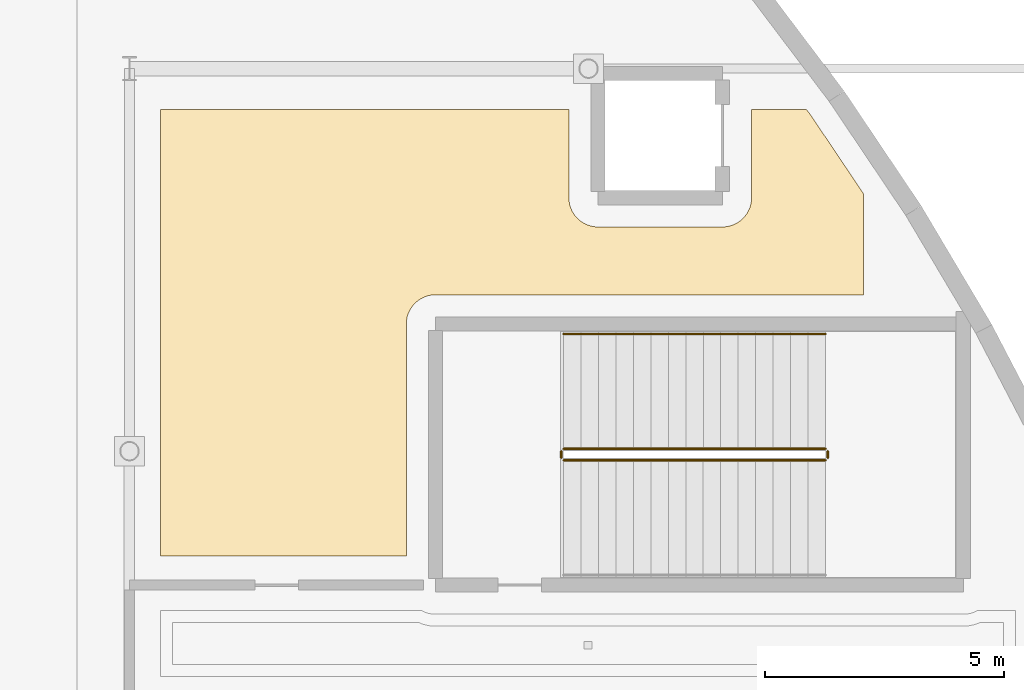
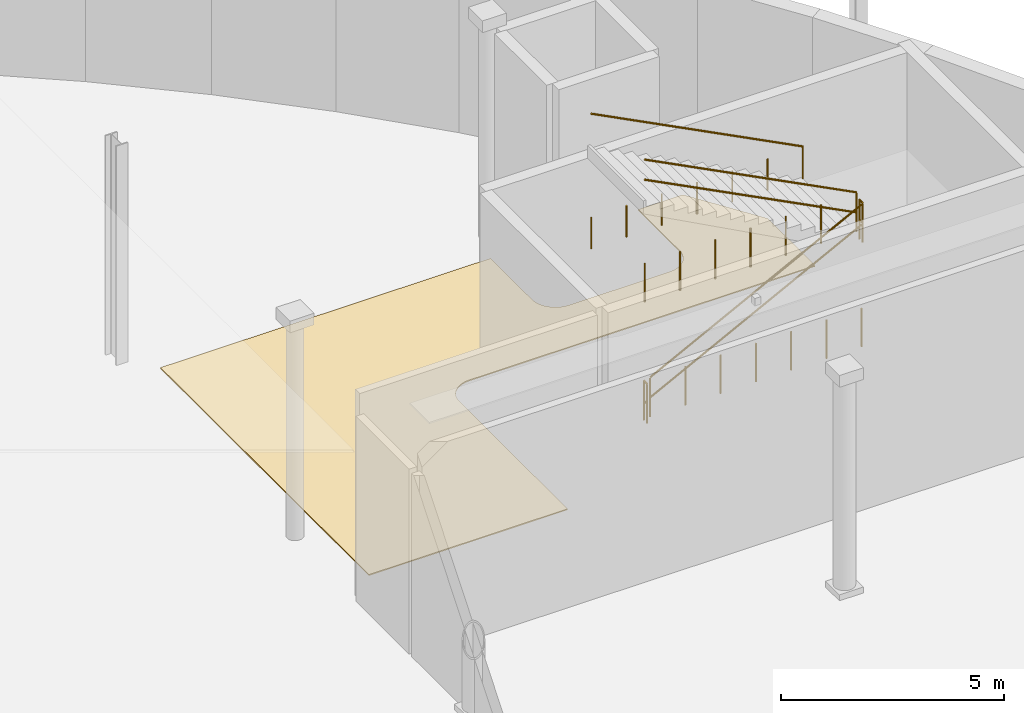
# One storey, part 122 of 124: 5 railings, 1 covering.
"""IFC4 building model written with IfcOpenShell, lengths in metres."""

from ifc_helpers import new_model, si_unit, direction, frame, origin, origin_2d, place, context, subcontext, project, spatial, polyline, circle, outline, extrude, material, layer, layer_set, type_object, element, save


model = new_model("IFC4")

# Units and contexts
model_context = context("Model", 3, precision=1e-05, world=origin(), true_north=direction((0.0, 1.0)))
body_context = subcontext(model_context, "Body", "Model", "MODEL_VIEW")
ifc_project = project(units=[si_unit("LENGTHUNIT", "METRE"), si_unit("AREAUNIT", "SQUARE_METRE"), si_unit("VOLUMEUNIT", "CUBIC_METRE"), si_unit("PLANEANGLEUNIT", "RADIAN"), si_unit("MASSUNIT", "GRAM", prefix="KILO")], contexts=[model_context])

# Site, building, storey
site_placement = place(None, origin())
site = spatial("IfcSite", under=ifc_project, at=site_placement, CompositionType="ELEMENT")
building_placement = place(site_placement, origin())
building = spatial("IfcBuilding", under=site, at=building_placement, Name="Danafjord Basin Convention Centre", CompositionType="ELEMENT")
storey_placement = place(building_placement, origin())
storey = spatial("IfcBuildingStorey", under=building, at=storey_placement, Name="L00", CompositionType="ELEMENT", Elevation=0.0)

# Covering
ifc_material_1 = material(Name="Polished Bohus granite terrazzo", Category="masonry")
ifc_layer = layer(ifc_material_1, 0.030029296875)
ifc_layer_set = layer_set([ifc_layer], Name="Polished Bohus granite terrazzo")
covering_type = type_object("IfcCoveringType", Name="COV-FLR-TER01", PredefinedType="FLOORING", material=ifc_layer_set)
covering_placement = place(storey_placement, origin())
element("IfcCovering", 1, at=covering_placement, inside=storey, type_object=covering_type, Name="Plenary North-East Core Pre-Function Foyer finish flooring", PredefinedType="FLOORING", context=body_context, shape_type="SweptSolid", body=[
    extrude(outline(polyline([(191.590087890625, 127.14990234375), (191.590087890625, 125.300048828125), (191.591064453125, 125.27197265625), (191.592041015625, 125.256103515625), (191.594970703125, 125.22509765625), (191.596923828125, 125.2099609375), (191.60791015625, 125.153076171875), (191.612060546875, 125.137939453125), (191.6201171875, 125.112060546875), (191.625, 125.096923828125), (191.64990234375, 125.0380859375), (191.656982421875, 125.02392578125), (191.66796875, 125.001953125), (191.676025390625, 124.988037109375), (191.697021484375, 124.955078125), (191.7060546875, 124.94189453125), (191.73095703125, 124.909912109375), (191.758056640625, 124.8798828125), (191.76904296875, 124.868896484375), (191.780029296875, 124.85791015625), (191.81005859375, 124.8310546875), (191.842041015625, 124.805908203125), (191.85498046875, 124.797119140625), (191.887939453125, 124.77587890625), (191.902099609375, 124.76806640625), (191.924072265625, 124.757080078125), (191.93798828125, 124.75), (191.9970703125, 124.72509765625), (192.011962890625, 124.719970703125), (192.0380859375, 124.7119140625), (192.052978515625, 124.7080078125), (192.110107421875, 124.697021484375), (192.125, 124.695068359375), (192.156005859375, 124.69189453125), (192.172119140625, 124.69091796875), (192.199951171875, 124.68994140625), (194.800048828125, 124.68994140625), (194.827880859375, 124.69091796875), (194.843994140625, 124.69189453125), (194.875, 124.695068359375), (194.889892578125, 124.697021484375), (194.947021484375, 124.7080078125), (194.9619140625, 124.7119140625), (194.988037109375, 124.719970703125), (195.0029296875, 124.72509765625), (195.06201171875, 124.75), (195.075927734375, 124.757080078125), (195.097900390625, 124.76806640625), (195.112060546875, 124.77587890625), (195.14501953125, 124.797119140625), (195.157958984375, 124.805908203125), (195.18994140625, 124.8310546875), (195.219970703125, 124.85791015625), (195.23095703125, 124.868896484375), (195.241943359375, 124.8798828125), (195.26904296875, 124.909912109375), (195.2939453125, 124.94189453125), (195.302978515625, 124.955078125), (195.323974609375, 124.988037109375), (195.33203125, 125.001953125), (195.343017578125, 125.02392578125), (195.35009765625, 125.0380859375), (195.375, 125.096923828125), (195.3798828125, 125.112060546875), (195.387939453125, 125.137939453125), (195.39208984375, 125.153076171875), (195.403076171875, 125.2099609375), (195.405029296875, 125.22509765625), (195.407958984375, 125.256103515625), (195.408935546875, 125.27197265625), (195.409912109375, 125.300048828125), (195.409912109375, 127.14990234375), (196.556884765625, 127.14990234375), (196.64404296875, 127.033935546875), (197.75, 125.387939453125), (197.75, 123.27001953125), (188.800048828125, 123.27001953125), (188.77197265625, 123.26904296875), (188.756103515625, 123.26806640625), (188.72509765625, 123.264892578125), (188.7099609375, 123.262939453125), (188.653076171875, 123.251953125), (188.637939453125, 123.248046875), (188.612060546875, 123.239990234375), (188.596923828125, 123.235107421875), (188.5380859375, 123.2099609375), (188.52392578125, 123.202880859375), (188.501953125, 123.19189453125), (188.488037109375, 123.18408203125), (188.455078125, 123.1630859375), (188.44189453125, 123.154052734375), (188.409912109375, 123.12890625), (188.3798828125, 123.10205078125), (188.368896484375, 123.091064453125), (188.35791015625, 123.080078125), (188.3310546875, 123.050048828125), (188.305908203125, 123.01806640625), (188.297119140625, 123.0048828125), (188.27587890625, 122.971923828125), (188.26806640625, 122.9580078125), (188.257080078125, 122.93603515625), (188.25, 122.922119140625), (188.22509765625, 122.863037109375), (188.219970703125, 122.847900390625), (188.2119140625, 122.822021484375), (188.2080078125, 122.806884765625), (188.197021484375, 122.75), (188.195068359375, 122.735107421875), (188.19189453125, 122.7041015625), (188.19091796875, 122.68798828125), (188.18994140625, 122.659912109375), (188.18994140625, 117.81005859375), (183.050048828125, 117.81005859375), (183.050048828125, 127.14990234375), (191.590087890625, 127.14990234375)])), origin(), (0.0, 0.0, 1.0), 0.030029296875),
])

# Railings
ifc_material_2 = material(Name="Galvanised steel S355", Category="steel")
railing_type_1 = type_object("IfcRailingType", Name="RL-GD-WELL", PredefinedType="BALUSTRADE", material=ifc_material_2)
railing_1_placement = place(storey_placement, frame((191.47998046875, 119.81005859375, 0.1875)))
element("IfcRailing", 2, at=railing_1_placement, inside=storey, type_object=railing_type_1, Name="L00 ST-11 stair guard 1", PredefinedType="BALUSTRADE", context=body_context, shape_type="SweptSolid", body=[
    extrude(circle(Radius=0.02392578125, at=origin_2d()), frame((0.0, 0.0, 1.076171875), z_axis=(0.889503409663, 0.0, 0.456928532922), x_axis=(0.0, 1.0, 0.0)), (0.0, 0.0, 1.0), 6.1552734375),
    extrude(circle(Radius=0.02392578125, at=origin_2d()), frame((0.0, 0.0, 0.52587890625), z_axis=(0.889503409663, 0.0, 0.456928532922), x_axis=(0.0, 1.0, 0.0)), (0.0, 0.0, 1.0), 6.1552734375),
    extrude(circle(Radius=0.02099609375, at=origin_2d()), origin(), (0.0, 0.0, 1.0), 1.050048828125),
    extrude(circle(Radius=0.02099609375, at=origin_2d()), frame((0.91259765625, 0.0, 0.0)), (0.0, 0.0, 1.0), 1.050048828125),
    extrude(circle(Radius=0.02099609375, at=origin_2d()), frame((1.824951171875, 0.0, 0.0)), (0.0, 0.0, 1.0), 1.050048828125),
    extrude(circle(Radius=0.02099609375, at=origin_2d()), frame((2.737548828125, 0.0, 0.0)), (0.0, 0.0, 1.0), 1.050048828125),
    extrude(circle(Radius=0.02099609375, at=origin_2d()), frame((3.650146484375, 0.0, 0.0)), (0.0, 0.0, 1.0), 1.050048828125),
    extrude(circle(Radius=0.02099609375, at=origin_2d()), frame((4.5625, 0.0, 0.0)), (0.0, 0.0, 1.0), 1.050048828125),
    extrude(circle(Radius=0.02099609375, at=origin_2d()), frame((5.47509765625, 0.0, 0.0)), (0.0, 0.0, 1.0), 1.050048828125),
])
railing_2_placement = place(storey_placement, frame((197.0048828125, 119.860107421875, 3.0)))
element("IfcRailing", 3, at=railing_2_placement, inside=storey, type_object=railing_type_1, Name="L00 ST-11 stair guard 2", PredefinedType="BALUSTRADE", context=body_context, shape_type="SweptSolid", body=[
    extrude(circle(Radius=0.02392578125, at=origin_2d()), frame((0.0, 0.0, 1.076171875), z_axis=(0.0, 1.0, 0.0), x_axis=(-1.0, 0.0, 0.0)), (0.0, 0.0, 1.0), 0.139892578125),
    extrude(circle(Radius=0.02392578125, at=origin_2d()), frame((0.0, 0.0, 0.52587890625), z_axis=(0.0, 1.0, 0.0), x_axis=(-1.0, 0.0, 0.0)), (0.0, 0.0, 1.0), 0.139892578125),
    extrude(circle(Radius=0.02099609375, at=origin_2d()), origin(), (0.0, 0.0, 1.0), 1.050048828125),
    extrude(circle(Radius=0.02099609375, at=origin_2d()), frame((0.0, 0.139892578125, 0.0)), (0.0, 0.0, 1.0), 1.050048828125),
])
railing_3_placement = place(storey_placement, frame((196.955078125, 120.050048828125, 3.1875)))
element("IfcRailing", 4, at=railing_3_placement, inside=storey, type_object=railing_type_1, Name="L00 ST-11 stair guard 3", PredefinedType="BALUSTRADE", context=body_context, shape_type="SweptSolid", body=[
    extrude(circle(Radius=0.02392578125, at=origin_2d()), frame((0.0, 0.0, 1.076171875), z_axis=(-0.889503409663, 0.0, 0.456928532922), x_axis=(0.0, -1.0, 0.0)), (0.0, 0.0, 1.0), 6.1552734375),
    extrude(circle(Radius=0.02392578125, at=origin_2d()), frame((0.0, 0.0, 0.52587890625), z_axis=(-0.889503409663, 0.0, 0.456928532922), x_axis=(0.0, -1.0, 0.0)), (0.0, 0.0, 1.0), 6.1552734375),
    extrude(circle(Radius=0.02099609375, at=origin_2d()), origin(), (0.0, 0.0, 1.0), 1.050048828125),
    extrude(circle(Radius=0.02099609375, at=origin_2d()), frame((-0.91259765625, 0.0, 0.0)), (0.0, 0.0, 1.0), 1.050048828125),
    extrude(circle(Radius=0.02099609375, at=origin_2d()), frame((-1.824951171875, 0.0, 0.0)), (0.0, 0.0, 1.0), 1.050048828125),
    extrude(circle(Radius=0.02099609375, at=origin_2d()), frame((-2.737548828125, 0.0, 0.0)), (0.0, 0.0, 1.0), 1.050048828125),
    extrude(circle(Radius=0.02099609375, at=origin_2d()), frame((-3.650146484375, 0.0, 0.0)), (0.0, 0.0, 1.0), 1.050048828125),
    extrude(circle(Radius=0.02099609375, at=origin_2d()), frame((-4.5625, 0.0, 0.0)), (0.0, 0.0, 1.0), 1.050048828125),
    extrude(circle(Radius=0.02099609375, at=origin_2d()), frame((-5.47509765625, 0.0, 0.0)), (0.0, 0.0, 1.0), 1.050048828125),
])
railing_4_placement = place(storey_placement, frame((191.429931640625, 119.860107421875, 0.0)))
element("IfcRailing", 5, at=railing_4_placement, inside=storey, type_object=railing_type_1, Name="L00 ST-11 stair guard 4", PredefinedType="BALUSTRADE", context=body_context, shape_type="SweptSolid", body=[
    extrude(circle(Radius=0.02392578125, at=origin_2d()), frame((0.0, 0.0, 1.076171875), z_axis=(0.0, 1.0, 0.0), x_axis=(-1.0, 0.0, 0.0)), (0.0, 0.0, 1.0), 0.139892578125),
    extrude(circle(Radius=0.02392578125, at=origin_2d()), frame((0.0, 0.0, 0.52587890625), z_axis=(0.0, 1.0, 0.0), x_axis=(-1.0, 0.0, 0.0)), (0.0, 0.0, 1.0), 0.139892578125),
    extrude(circle(Radius=0.02099609375, at=origin_2d()), origin(), (0.0, 0.0, 1.0), 1.050048828125),
    extrude(circle(Radius=0.02099609375, at=origin_2d()), frame((0.0, 0.139892578125, 0.0)), (0.0, 0.0, 1.0), 1.050048828125),
])
ifc_material_3 = material(Name="Brushed stainless steel EN 1.4404", Category="steel")
railing_type_2 = type_object("IfcRailingType", Name="RL-HR-STAIR", PredefinedType="HANDRAIL", material=ifc_material_3)
railing_5_placement = place(storey_placement, frame((196.955078125, 122.449951171875, 3.1875)))
element("IfcRailing", 6, at=railing_5_placement, inside=storey, type_object=railing_type_2, Name="L00 ST-11 stair handrail 2", PredefinedType="HANDRAIL", context=body_context, shape_type="SweptSolid", body=[
    extrude(circle(Radius=0.02392578125, at=origin_2d()), frame((0.0, 0.0, 0.8759765625), z_axis=(-0.889503409663, 0.0, 0.456928532922), x_axis=(0.0, -1.0, 0.0)), (0.0, 0.0, 1.0), 6.1552734375),
    extrude(circle(Radius=0.02099609375, at=origin_2d()), origin(), (0.0, 0.0, 1.0), 0.849853515625),
    extrude(circle(Radius=0.02099609375, at=origin_2d()), frame((-0.91259765625, 0.0, 0.0)), (0.0, 0.0, 1.0), 0.849853515625),
    extrude(circle(Radius=0.02099609375, at=origin_2d()), frame((-1.824951171875, 0.0, 0.0)), (0.0, 0.0, 1.0), 0.849853515625),
    extrude(circle(Radius=0.02099609375, at=origin_2d()), frame((-2.737548828125, 0.0, 0.0)), (0.0, 0.0, 1.0), 0.849853515625),
    extrude(circle(Radius=0.02099609375, at=origin_2d()), frame((-3.650146484375, 0.0, 0.0)), (0.0, 0.0, 1.0), 0.849853515625),
    extrude(circle(Radius=0.02099609375, at=origin_2d()), frame((-4.5625, 0.0, 0.0)), (0.0, 0.0, 1.0), 0.849853515625),
    extrude(circle(Radius=0.02099609375, at=origin_2d()), frame((-5.47509765625, 0.0, 0.0)), (0.0, 0.0, 1.0), 0.849853515625),
])

save(model, "model.ifc")
